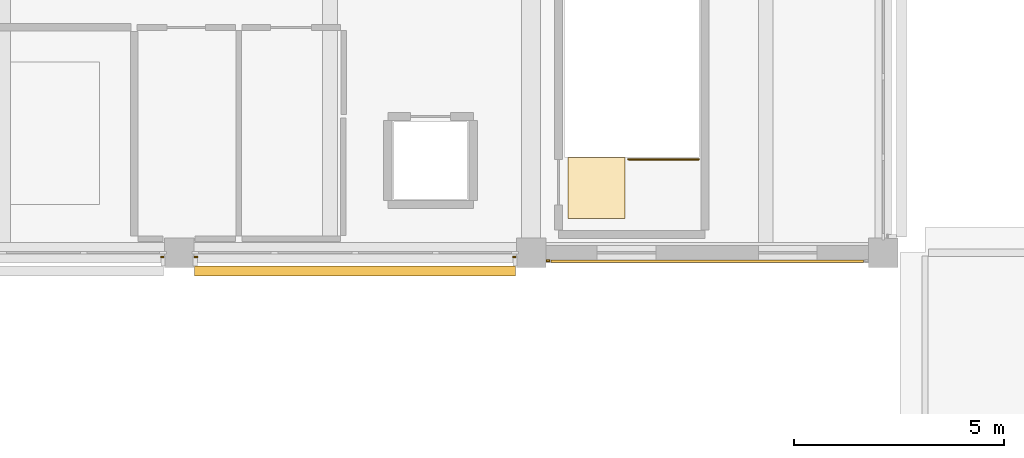
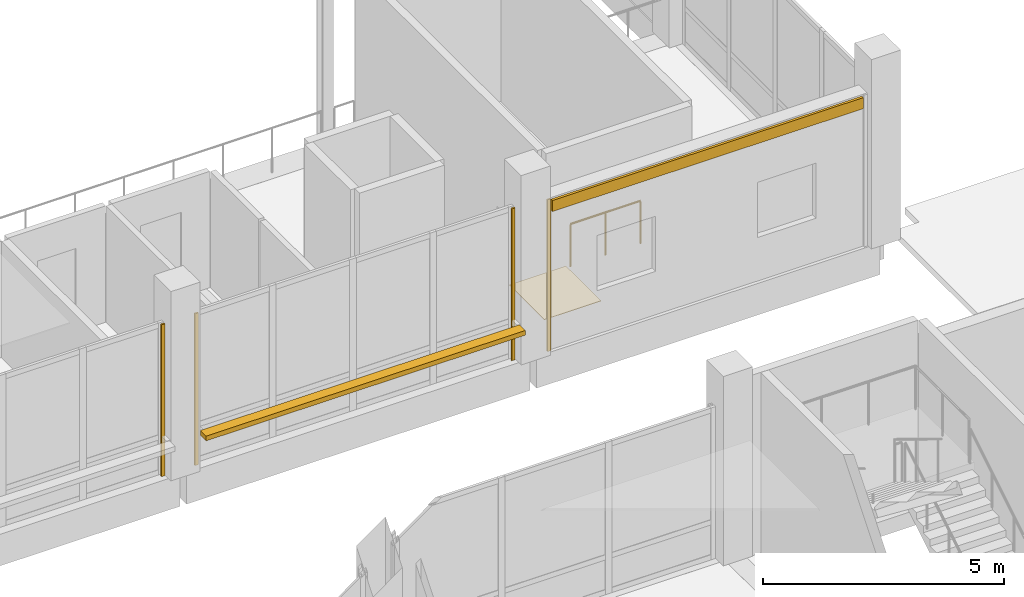
# One storey, part 120 of 128: 6 coverings, 1 railing, 1 shading device.
"""IFC4 building model written with IfcOpenShell, lengths in metres."""

import ifcopenshell
import ifcopenshell.guid

model = None  # the IFC model being written
_history = None  # IfcOwnerHistory: only IFC2X3 demands one
_inside = {}  # id of a spatial element -> (the spatial element, [elements in it])
_under = {}  # id of a project, library or spatial element -> (it, [spatial elements below it])
_declared = {}  # id of a project -> (the project, [libraries it declares])
_typed = {}  # id of a type object -> (the type object, [elements of that type])
_made_of = {}  # id of a material, layer set ... -> (it, [elements and type objects made of it])


def new_model(schema):
    """Start an empty IFC model of exactly this schema.

    Asked for "IFC4X3", IfcOpenShell would pick the latest addendum, in which some entities
    have other attributes; the version numbers below select the first issue.
    IFC2X3 requires an IfcOwnerHistory on every rooted entity: one is made here for all.
    """
    global model, _history
    if schema == "IFC4X3":
        model = ifcopenshell.file(schema_version=(4, 3, 0, 0))
    else:
        model = ifcopenshell.file(schema=schema)
    _inside.clear()
    _under.clear()
    _declared.clear()
    _typed.clear()
    _made_of.clear()
    _history = None
    if model.schema == "IFC2X3":
        org = make("IfcOrganization", Name="unknown")
        user = make(
            "IfcPersonAndOrganization",
            ThePerson=make("IfcPerson", FamilyName="unknown"),
            TheOrganization=org,
        )
        app = make(
            "IfcApplication",
            ApplicationDeveloper=org,
            Version="unknown",
            ApplicationFullName="unknown",
            ApplicationIdentifier="unknown",
        )
        _history = make(
            "IfcOwnerHistory",
            OwningUser=user,
            OwningApplication=app,
            ChangeAction="ADDED",
            CreationDate=0,
        )
    return model


def make(cls, **values):
    """One entity of the class cls with the attributes given. An attribute that is None is left unset."""
    return model.create_entity(
        cls, **{name: value for name, value in values.items() if value is not None}
    )


def rooted(cls, **values):
    """An entity with a GlobalId (a new one), such as an element, a storey or a relation."""
    return make(cls, GlobalId=ifcopenshell.guid.new(), OwnerHistory=_history, **values)


def si_unit(unit_type, name, prefix=None):
    """IfcSIUnit, for example si_unit("LENGTHUNIT", "METRE", prefix="MILLI")."""
    return make("IfcSIUnit", UnitType=unit_type, Prefix=prefix, Name=name)


def assignment(units):
    """IfcUnitAssignment: the units of a project."""
    return None if units is None else make("IfcUnitAssignment", Units=units)


def point(xyz):
    """IfcCartesianPoint."""
    return None if xyz is None else make("IfcCartesianPoint", Coordinates=xyz)


def direction(xyz):
    """IfcDirection."""
    return None if xyz is None else make("IfcDirection", DirectionRatios=xyz)


def frame(location, z_axis=None, x_axis=None):
    """IfcAxis2Placement3D, a coordinate frame: its origin and axes. An axis left out is left unset."""
    return make(
        "IfcAxis2Placement3D",
        Location=point(location),
        Axis=direction(z_axis),
        RefDirection=direction(x_axis),
    )


def frame_2d(location, x_axis=None):
    """IfcAxis2Placement2D, a coordinate frame in the plane: its origin and x axis."""
    return make(
        "IfcAxis2Placement2D", Location=point(location), RefDirection=direction(x_axis)
    )


def origin():
    """The frame at (0, 0, 0) with its axes left unset."""
    return frame((0.0, 0.0, 0.0))


def origin_2d():
    """The frame at (0, 0) in the plane with its x axis left unset."""
    return frame_2d((0.0, 0.0))


def place(relative_to, where):
    """IfcLocalPlacement: puts the frame where relative to a parent placement (None: the world)."""
    return make(
        "IfcLocalPlacement", PlacementRelTo=relative_to, RelativePlacement=where
    )


def context(
    kind, dimensions, precision=None, world=None, true_north=None, identifier=None
):
    """IfcGeometricRepresentationContext, for example the 3D "Model" context."""
    return make(
        "IfcGeometricRepresentationContext",
        ContextIdentifier=identifier,
        ContextType=kind,
        CoordinateSpaceDimension=dimensions,
        Precision=precision,
        WorldCoordinateSystem=world,
        TrueNorth=true_north,
    )


def subcontext(parent, identifier, kind, view, scale=None):
    """IfcGeometricRepresentationSubContext, for example "Body" below "Model"."""
    return make(
        "IfcGeometricRepresentationSubContext",
        ContextIdentifier=identifier,
        ContextType=kind,
        ParentContext=parent,
        TargetScale=scale,
        TargetView=view,
    )


def project(units=None, contexts=None):
    """IfcProject with its units and contexts."""
    return rooted(
        "IfcProject",
        Name="project",
        RepresentationContexts=contexts,
        UnitsInContext=assignment(units),
    )


def spatial(cls, under=None, at=None, **own):
    """A site, building, storey or space (cls), placed at a placement, below another one or the project."""
    s = rooted(cls, ObjectPlacement=at, **own)
    if under is not None:
        _under.setdefault(under.id(), (under, []))[1].append(s)
    return s


def polyline(points):
    """IfcPolyline through the points."""
    return make("IfcPolyline", Points=[point(p) for p in points])


def profile(cls, at=None, kind="AREA", **sizes):
    """A parametric profile (cls). Its sizes go by their IFC names, for example OverallWidth=200.0."""
    return make(cls, ProfileType=kind, Position=at, **sizes)


def rectangle(**sizes):
    """IfcRectangleProfileDef."""
    return profile("IfcRectangleProfileDef", **sizes)


def circle(**sizes):
    """IfcCircleProfileDef."""
    return profile("IfcCircleProfileDef", **sizes)


def outline(outer, holes=None, kind="AREA"):
    """IfcArbitraryClosedProfileDef: a profile drawn as a closed curve; with holes, ...WithVoids."""
    if holes is None:
        return make("IfcArbitraryClosedProfileDef", ProfileType=kind, OuterCurve=outer)
    return make(
        "IfcArbitraryProfileDefWithVoids",
        ProfileType=kind,
        OuterCurve=outer,
        InnerCurves=holes,
    )


def extrude(swept, where, along, depth):
    """IfcExtrudedAreaSolid: the profile swept, set in the frame where, extruded along a direction by depth."""
    return make(
        "IfcExtrudedAreaSolid",
        SweptArea=swept,
        Position=where,
        ExtrudedDirection=direction(along),
        Depth=depth,
    )


def shape(context_of_items, identifier, shape_type, items):
    """IfcShapeRepresentation: the items that make up one representation, for example the "Body"."""
    return make(
        "IfcShapeRepresentation",
        ContextOfItems=context_of_items,
        RepresentationIdentifier=identifier,
        RepresentationType=shape_type,
        Items=items,
    )


def material(Name=None, Category=None):
    """IfcMaterial."""
    return make("IfcMaterial", Name=Name, Category=Category)


def layer(
    of_material, thickness, ventilated=None, Name=None, Category=None, Priority=None
):
    """IfcMaterialLayer: one layer of a wall or slab, of a material (None: an air gap)."""
    return make(
        "IfcMaterialLayer",
        Material=of_material,
        LayerThickness=thickness,
        IsVentilated=ventilated,
        Name=Name,
        Category=Category,
        Priority=Priority,
    )


def layer_set(layers, Name=None):
    """IfcMaterialLayerSet."""
    return make("IfcMaterialLayerSet", MaterialLayers=layers, LayerSetName=Name)


def made_of(thing, what):
    """Note that an element or type object is made of a material, layer set ...; save() writes the relation."""
    if what is not None:
        _made_of.setdefault(what.id(), (what, []))[1].append(thing)
    return thing


def type_object(cls, material=None, **own):
    """A type object (cls), such as IfcWallType, which elements share."""
    return made_of(rooted(cls, **own), material)


def element(
    cls,
    number,
    at=None,
    inside=None,
    cuts=None,
    type_object=None,
    material=None,
    context=None,
    identifier="Body",
    shape_type=None,
    held_by="IfcProductDefinitionShape",
    body=None,
    shapes=None,
    **own,
):
    """One element of the class cls, such as IfcWall. Its Tag is "e" and its number.

    at: its placement. inside: the storey or other place that contains it. cuts: it is an
    opening in that element (IfcRelVoidsElement). A single representation is given by context,
    identifier, shape_type and body (its items); several are given by shapes. held_by: the class
    of the entity that holds the representations. save() writes the other relations.
    """
    e = rooted(cls, Tag="e%d" % number, ObjectPlacement=at, **own)
    if body is not None:
        shapes = [shape(context, identifier, shape_type, body)]
    if shapes is not None:
        e.Representation = make(held_by, Representations=shapes)
    if inside is not None:
        _inside.setdefault(inside.id(), (inside, []))[1].append(e)
    if cuts is not None:
        rooted(
            "IfcRelVoidsElement", RelatingBuildingElement=cuts, RelatedOpeningElement=e
        )
    if type_object is not None:
        _typed.setdefault(type_object.id(), (type_object, []))[1].append(e)
    return made_of(e, material)


def aggregate(whole, parts):
    """IfcRelAggregates: a whole, such as a stair, and the parts it consists of."""
    return rooted("IfcRelAggregates", RelatingObject=whole, RelatedObjects=parts)


def save(model, path):
    """Write the relations noted so far, then the file.

    IfcRelAggregates (storeys below a building ...), IfcRelContainedInSpatialStructure (elements
    in a storey), IfcRelDefinesByType, IfcRelAssociatesMaterial and IfcRelDeclares: one each for
    every whole, place, type object, material and project.
    """
    for whole, parts in _under.values():
        aggregate(whole, parts)
    for where, things in _inside.values():
        rooted(
            "IfcRelContainedInSpatialStructure",
            RelatedElements=things,
            RelatingStructure=where,
        )
    for kind, things in _typed.values():
        rooted("IfcRelDefinesByType", RelatedObjects=things, RelatingType=kind)
    for what, things in _made_of.values():
        rooted("IfcRelAssociatesMaterial", RelatedObjects=things, RelatingMaterial=what)
    for by, libraries in _declared.values():
        rooted("IfcRelDeclares", RelatingContext=by, RelatedDefinitions=libraries)
    model.write(path)


model = new_model("IFC4")

# Units and contexts
model_context = context("Model", 3, precision=1e-05, world=origin(), true_north=direction((0.0, 1.0)))
body_context = subcontext(model_context, "Body", "Model", "MODEL_VIEW")
ifc_project = project(units=[si_unit("LENGTHUNIT", "METRE"), si_unit("AREAUNIT", "SQUARE_METRE"), si_unit("VOLUMEUNIT", "CUBIC_METRE"), si_unit("PLANEANGLEUNIT", "RADIAN"), si_unit("MASSUNIT", "GRAM", prefix="KILO")], contexts=[model_context])

# Site, building, storey
site_placement = place(None, origin())
site = spatial("IfcSite", under=ifc_project, at=site_placement, CompositionType="ELEMENT")
building_placement = place(site_placement, origin())
building = spatial("IfcBuilding", under=site, at=building_placement, Name="Telukmera Botanical Conservatory", CompositionType="ELEMENT")
storey_placement = place(building_placement, frame((0.0, 0.0, 5.39990234375)))
storey = spatial("IfcBuildingStorey", under=building, at=storey_placement, Name="L01", CompositionType="ELEMENT", Elevation=5.39990234375)

# Coverings
ifc_material_1 = material(Name="Honed granite non-slip flooring", Category="masonry")
ifc_layer_1 = layer(ifc_material_1, 0.011962890625)
ifc_layer_set_1 = layer_set([ifc_layer_1], Name="Honed granite non-slip flooring")
covering_type_1 = type_object("IfcCoveringType", Name="COV-FLR-12", PredefinedType="FLOORING", material=ifc_layer_set_1)
covering_1_placement = place(storey_placement, origin())
element("IfcCovering", 1, at=covering_1_placement, inside=storey, type_object=covering_type_1, Name="L01 ST6 Non-Slip Stair Landing Finish", PredefinedType="FLOORING", context=body_context, shape_type="SweptSolid", body=[
    extrude(outline(polyline([(35.840087890625, 84.02001953125), (35.840087890625, 85.47509765625), (34.47998046875, 85.47509765625), (34.47998046875, 84.02001953125), (35.840087890625, 84.02001953125)])), origin(), (0.0, 0.0, 1.0), 0.01220703125),
])
ifc_material_2 = material(Name="Granite-faced precast concrete C40/50", Category="masonry")
ifc_layer_2 = layer(ifc_material_2, 0.0400390625)
ifc_layer_set_2 = layer_set([ifc_layer_2], Name="Granite-faced precast concrete C40/50")
covering_type_2 = type_object("IfcCoveringType", Name="Granite Precast Column Pier Reveal Casing", PredefinedType="CLADDING", material=ifc_layer_set_2)
for number, where, z_axis, x_axis, name in (
    (2, (24.798095703125, 83.10009765625, 0.0), (0.0, 0.0, 1.0), (1.0, 0.0, 0.0), "Granite Pier Reveal V2:L01:S2 R"),
    (3, (25.60205078125, 83.10009765625, 0.0), (0.0, 0.0, 1.0), (1.0, 0.0, 0.0), "Granite Pier Reveal V2:L01:S3 L"),
    (4, (33.197998046875, 83.10009765625, 0.0), (0.0, 0.0, 1.0), (1.0, 0.0, 0.0), "Granite Pier Reveal V2:L01:S3 R"),
    (5, (34.001953125, 83.010009765625, 0.0), (0.0, 0.0, 1.0), (1.0, 0.0, 0.0), "Granite Pier Reveal V2:L01:S4 L"),
):
    element("IfcCovering", number, at=place(storey_placement, frame(where, z_axis=z_axis, x_axis=x_axis)), inside=storey, type_object=covering_type_2, Name=name, PredefinedType="CLADDING", context=body_context, shape_type="SweptSolid", body=[
        extrude(rectangle(XDim=0.080078125, YDim=0.0400390625, at=origin_2d()), origin(), (0.0, 0.0, 1.0), 3.85009765625),
    ])

# Shading device
ifc_material_3 = material(Name="Perforated terracotta-anodised aluminium 6063-T6", Category="masonry")
ifc_layer_3 = layer(ifc_material_3, 0.044921875)
ifc_layer_set_3 = layer_set([ifc_layer_3], Name="Perforated terracotta-anodised aluminium 6063-T6")
shading_device_type = type_object("IfcShadingDeviceType", Name="Perforated Terracotta Aluminium Monsoon Brise Soleil", PredefinedType="JALOUSIE", material=ifc_layer_set_3)
shading_device_placement = place(storey_placement, frame((29.39990234375, 82.760009765625, 0.89013671875), z_axis=(0.0, 0.0, 1.0), x_axis=(1.0, 0.0, 0.0)))
element("IfcShadingDevice", 6, at=shading_device_placement, inside=storey, type_object=shading_device_type, Name="Monsoon Shading BS01 V2:L01:S3", PredefinedType="JALOUSIE", context=body_context, shape_type="SweptSolid", body=[
    extrude(rectangle(XDim=7.656005859375, YDim=0.239990234375, at=origin_2d()), origin(), (0.0, 0.0, 1.0), 0.1201171875),
])

# Covering
ifc_material_4 = material(Name="Terracotta-faced precast concrete C40/50", Category="masonry")
ifc_layer_4 = layer(ifc_material_4, 0.06005859375)
ifc_layer_set_4 = layer_set([ifc_layer_4], Name="Terracotta-faced precast concrete C40/50")
covering_type_3 = type_object("IfcCoveringType", Name="Polychrome Terracotta Facade Band Cladding", PredefinedType="CLADDING", material=ifc_layer_set_4)
covering_2_placement = place(storey_placement, frame((37.800048828125, 83.0, 3.5302734375), z_axis=(0.0, 0.0, 1.0), x_axis=(1.0, 0.0, 0.0)))
element("IfcCovering", 7, at=covering_2_placement, inside=storey, type_object=covering_type_3, Name="Polychrome Terracotta Band V2:L01:S4", PredefinedType="CLADDING", context=body_context, shape_type="SweptSolid", body=[
    extrude(rectangle(XDim=7.4560546875, YDim=0.06005859375, at=origin_2d()), origin(), (0.0, 0.0, 1.0), 0.280029296875),
])

# Railing
ifc_material_5 = material(Name="Steel S355", Category="steel")
railing_type = type_object("IfcRailingType", Name="RL-GUARD-1100", PredefinedType="GUARDRAIL", material=ifc_material_5)
railing_placement = place(storey_placement, frame((37.60009765625, 85.429931640625, 0.0)))
element("IfcRailing", 8, at=railing_placement, inside=storey, type_object=railing_type, Name="L01 ST6 top well guard 1", PredefinedType="GUARDRAIL", context=body_context, shape_type="SweptSolid", body=[
    extrude(circle(Radius=0.02392578125, at=origin_2d()), frame((0.0, 0.0, 1.076171875), z_axis=(-1.0, 0.0, 0.0), x_axis=(0.0, -1.0, 0.0)), (0.0, 0.0, 1.0), 1.68017578125),
    extrude(circle(Radius=0.02099609375, at=origin_2d()), origin(), (0.0, 0.0, 1.0), 1.052001953125),
    extrude(circle(Radius=0.02099609375, at=origin_2d()), frame((-0.840087890625, 0.0, 0.0)), (0.0, 0.0, 1.0), 1.052001953125),
    extrude(circle(Radius=0.02099609375, at=origin_2d()), frame((-1.68017578125, 0.0, 0.0)), (0.0, 0.0, 1.0), 1.052001953125),
])

save(model, "model.ifc")
